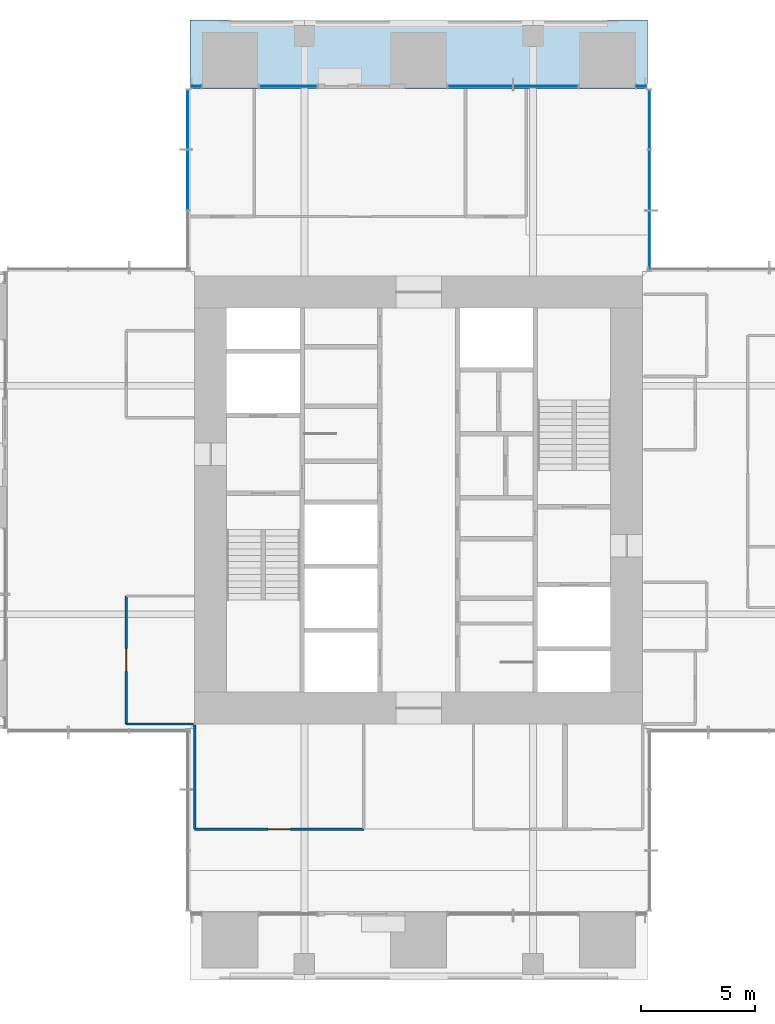
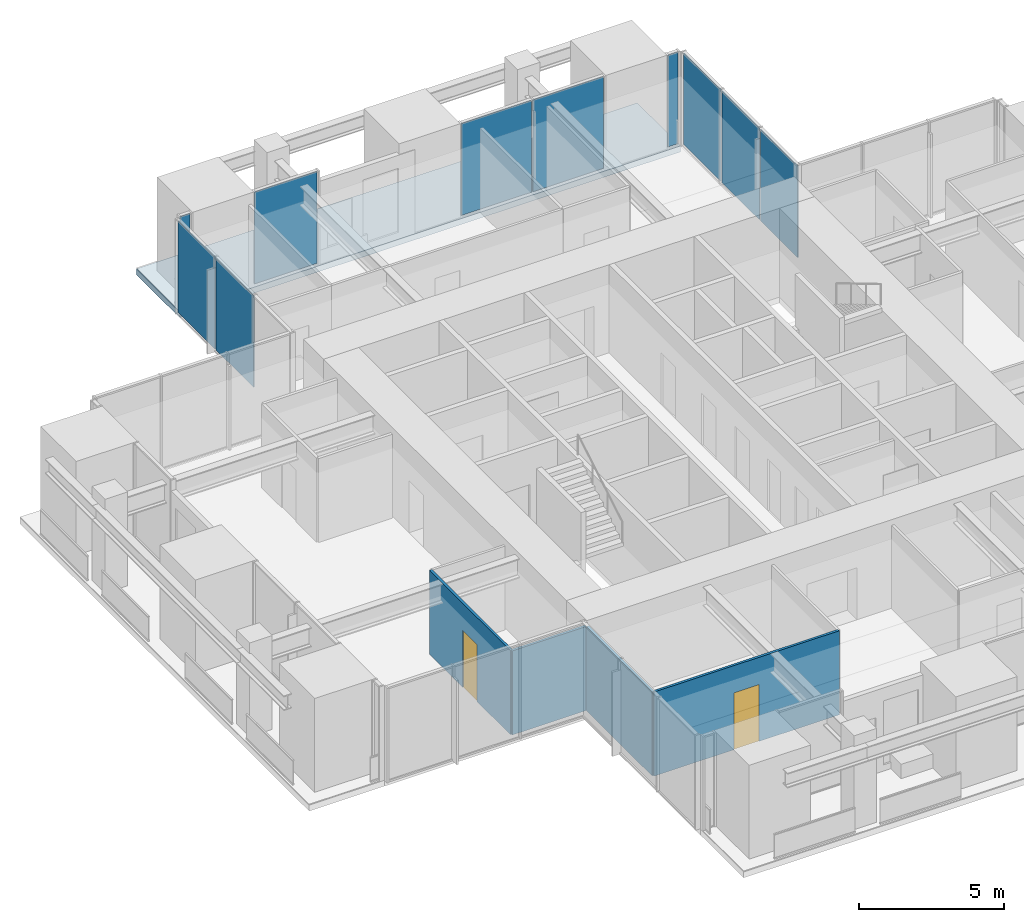
# One storey, part 11 of 17: 10 plates, 4 walls, 2 doors, 1 slab, 2 openings, 6 elements without a shape of their own.
"""IFC4 building model written with IfcOpenShell, lengths in metres."""

from ifc_helpers import new_model, si_unit, direction, frame, frame_2d, origin, origin_2d, place, context, subcontext, project, spatial, polyline, rectangle, outline, extrude, material, layer, layer_set, type_object, element, fill, aggregate, save


model = new_model("IFC4")

# Units and contexts
model_context = context("Model", 3, precision=1e-05, world=origin(), true_north=direction((0.0, 1.0)))
body_context = subcontext(model_context, "Body", "Model", "MODEL_VIEW")
ifc_project = project(units=[si_unit("LENGTHUNIT", "METRE"), si_unit("AREAUNIT", "SQUARE_METRE"), si_unit("VOLUMEUNIT", "CUBIC_METRE"), si_unit("PLANEANGLEUNIT", "RADIAN"), si_unit("MASSUNIT", "GRAM", prefix="KILO")], contexts=[model_context])

# Site, building, storey
site_placement = place(None, origin())
site = spatial("IfcSite", under=ifc_project, at=site_placement, CompositionType="ELEMENT")
building_placement = place(site_placement, origin())
building = spatial("IfcBuilding", under=site, at=building_placement, Name="Svetlomir Tower", CompositionType="ELEMENT")
storey_placement = place(building_placement, frame((0.0, 0.0, 230.5)))
storey = spatial("IfcBuildingStorey", under=building, at=storey_placement, Name="L55", CompositionType="ELEMENT", Elevation=230.5)

# Curtain wall, plates
ifc_material_1 = material(Name="Bronze anodised aluminium curtain wall", Category="aluminium")
curtain_wall_type = type_object("IfcCurtainWallType", Name="CURTAIN WALL CW1 TOWER OFFICE", PredefinedType="NOTDEFINED", material=ifc_material_1)
curtain_wall_1_placement = place(storey_placement, origin())
curtain_wall_1 = element("IfcCurtainWall", 1, at=curtain_wall_1_placement, inside=storey, type_object=curtain_wall_type, Name="Curtain wall CW1 L55", PredefinedType="NOTDEFINED")
ifc_material_2 = material(Name="Tinted double glazed unit", Category="glass")
ifc_layer_1 = layer(ifc_material_2, 0.031982421875)
ifc_layer_set_1 = layer_set([ifc_layer_1], Name="Tinted double glazed unit")
plate_type = type_object("IfcPlateType", Name="CW1 GLAZED PANEL 32", PredefinedType="CURTAIN_PANEL", material=ifc_layer_set_1)
plate_1_placement = place(storey_placement, frame((31.10009765625, 32.349609375, 0.06494140625), z_axis=(0.0, 0.0, 1.0), x_axis=(0.0, 1.0, 0.0)))
plate_1 = element("IfcPlate", 2, at=plate_1_placement, type_object=plate_type, Name="CW1 panel 1.1", PredefinedType="CURTAIN_PANEL", context=body_context, shape_type="SweptSolid", body=[
    extrude(rectangle(XDim=2.569091796875, YDim=0.031982421875, at=origin_2d()), origin(), (0.0, 0.0, 1.0), 3.8701171875),
])
plate_2_placement = place(storey_placement, frame((31.10009765625, 35.0, 0.06494140625), z_axis=(0.0, 0.0, 1.0), x_axis=(0.0, 1.0, 0.0)))
plate_2 = element("IfcPlate", 3, at=plate_2_placement, type_object=plate_type, Name="CW1 panel 2.1", PredefinedType="CURTAIN_PANEL", context=body_context, shape_type="SweptSolid", body=[
    extrude(rectangle(XDim=2.6015625, YDim=0.031982421875, at=origin_2d()), origin(), (0.0, 0.0, 1.0), 3.8701171875),
])
plate_3_placement = place(storey_placement, frame((31.10009765625, 37.650390625, 0.06494140625), z_axis=(0.0, 0.0, 1.0), x_axis=(0.0, 1.0, 0.0)))
plate_3 = element("IfcPlate", 4, at=plate_3_placement, type_object=plate_type, Name="CW1 panel 3.1", PredefinedType="CURTAIN_PANEL", context=body_context, shape_type="SweptSolid", body=[
    extrude(rectangle(XDim=2.569091796875, YDim=0.031982421875, at=origin_2d()), origin(), (0.0, 0.0, 1.0), 3.8701171875),
])
aggregate(curtain_wall_1, [plate_1, plate_2, plate_3])

# Curtain wall, plate
curtain_wall_2_placement = place(storey_placement, origin())
curtain_wall_2 = element("IfcCurtainWall", 5, at=curtain_wall_2_placement, inside=storey, type_object=curtain_wall_type, Name="Curtain wall CW1 L55", PredefinedType="NOTDEFINED")
plate_4_placement = place(storey_placement, frame((30.737548828125, 39.10009765625, 0.06494140625), z_axis=(0.0, 0.0, 1.0), x_axis=(-1.0, 0.0, 0.0)))
plate_4 = element("IfcPlate", 6, at=plate_4_placement, type_object=plate_type, Name="CW1 panel 1.1", PredefinedType="CURTAIN_PANEL", context=body_context, shape_type="SweptSolid", body=[
    extrude(rectangle(XDim=0.39501953125, YDim=0.031982421875, at=origin_2d()), origin(), (0.0, 0.0, 1.0), 3.8701171875),
])
aggregate(curtain_wall_2, [plate_4])

# Curtain wall, plates
curtain_wall_3_placement = place(storey_placement, origin())
curtain_wall_3 = element("IfcCurtainWall", 7, at=curtain_wall_3_placement, inside=storey, type_object=curtain_wall_type, Name="Curtain wall CW1 L55", PredefinedType="NOTDEFINED")
plate_5_placement = place(storey_placement, frame((26.558837890625, 39.10009765625, 0.06494140625), z_axis=(0.0, 0.0, 1.0), x_axis=(-1.0, 0.0, 0.0)))
plate_5 = element("IfcPlate", 8, at=plate_5_placement, type_object=plate_type, Name="CW1 panel 1.1", PredefinedType="CURTAIN_PANEL", context=body_context, shape_type="SweptSolid", body=[
    extrude(rectangle(XDim=2.802490234375, YDim=0.031982421875, at=origin_2d()), origin(), (0.0, 0.0, 1.0), 3.8701171875),
])
plate_6_placement = place(storey_placement, frame((23.691162109375, 39.10009765625, 0.06494140625), z_axis=(0.0, 0.0, 1.0), x_axis=(-1.0, 0.0, 0.0)))
plate_6 = element("IfcPlate", 9, at=plate_6_placement, type_object=plate_type, Name="CW1 panel 2.1", PredefinedType="CURTAIN_PANEL", context=body_context, shape_type="SweptSolid", body=[
    extrude(rectangle(XDim=2.802490234375, YDim=0.031982421875, at=origin_2d()), origin(), (0.0, 0.0, 1.0), 3.8701171875),
])
aggregate(curtain_wall_3, [plate_5, plate_6])

# Curtain wall, plate
curtain_wall_4_placement = place(storey_placement, origin())
curtain_wall_4 = element("IfcCurtainWall", 10, at=curtain_wall_4_placement, inside=storey, type_object=curtain_wall_type, Name="Curtain wall CW1 L55", PredefinedType="NOTDEFINED")
plate_7_placement = place(storey_placement, frame((15.28759765625, 39.10009765625, 0.06494140625), z_axis=(0.0, 0.0, 1.0), x_axis=(-1.0, 0.0, 0.0)))
plate_7 = element("IfcPlate", 11, at=plate_7_placement, type_object=plate_type, Name="CW1 panel 1.1", PredefinedType="CURTAIN_PANEL", context=body_context, shape_type="SweptSolid", body=[
    extrude(rectangle(XDim=2.4951171875, YDim=0.031982421875, at=origin_2d()), origin(), (0.0, 0.0, 1.0), 3.8701171875),
])
aggregate(curtain_wall_4, [plate_7])

curtain_wall_5_placement = place(storey_placement, origin())
curtain_wall_5 = element("IfcCurtainWall", 12, at=curtain_wall_5_placement, inside=storey, type_object=curtain_wall_type, Name="Curtain wall CW1 L55", PredefinedType="NOTDEFINED")
plate_8_placement = place(storey_placement, frame((11.262451171875, 39.10009765625, 0.06494140625), z_axis=(0.0, 0.0, 1.0), x_axis=(-1.0, 0.0, 0.0)))
plate_8 = element("IfcPlate", 13, at=plate_8_placement, type_object=plate_type, Name="CW1 panel 1.1", PredefinedType="CURTAIN_PANEL", context=body_context, shape_type="SweptSolid", body=[
    extrude(rectangle(XDim=0.39501953125, YDim=0.031982421875, at=origin_2d()), origin(), (0.0, 0.0, 1.0), 3.8701171875),
])
aggregate(curtain_wall_5, [plate_8])

# Curtain wall, plates
curtain_wall_6_placement = place(storey_placement, origin())
curtain_wall_6 = element("IfcCurtainWall", 14, at=curtain_wall_6_placement, inside=storey, type_object=curtain_wall_type, Name="Curtain wall CW1 L55", PredefinedType="NOTDEFINED")
plate_9_placement = place(storey_placement, frame((10.89990234375, 37.650390625, 0.06494140625), z_axis=(0.0, 0.0, 1.0), x_axis=(0.0, -1.0, 0.0)))
plate_9 = element("IfcPlate", 15, at=plate_9_placement, type_object=plate_type, Name="CW1 panel 1.1", PredefinedType="CURTAIN_PANEL", context=body_context, shape_type="SweptSolid", body=[
    extrude(rectangle(XDim=2.569091796875, YDim=0.031982421875, at=origin_2d()), origin(), (0.0, 0.0, 1.0), 3.8701171875),
])
plate_10_placement = place(storey_placement, frame((10.89990234375, 35.0, 0.06494140625), z_axis=(0.0, 0.0, 1.0), x_axis=(0.0, -1.0, 0.0)))
plate_10 = element("IfcPlate", 16, at=plate_10_placement, type_object=plate_type, Name="CW1 panel 2.1", PredefinedType="CURTAIN_PANEL", context=body_context, shape_type="SweptSolid", body=[
    extrude(rectangle(XDim=2.6015625, YDim=0.031982421875, at=origin_2d()), origin(), (0.0, 0.0, 1.0), 3.8701171875),
])
aggregate(curtain_wall_6, [plate_9, plate_10])

# Slab
ifc_material_3 = material(Name="Concrete C60/75", Category="concrete")
ifc_layer_2 = layer(ifc_material_3, 0.25)
ifc_layer_set_2 = layer_set([ifc_layer_2], Name="Concrete C60/75")
slab_type = type_object("IfcSlabType", Name="PLANTED LOGGIA SLAB 250", PredefinedType="FLOOR", material=ifc_layer_set_2)
slab_placement = place(storey_placement, frame((0.0, 0.0, -0.25)))
element("IfcSlab", 17, at=slab_placement, inside=storey, type_object=slab_type, Name="L55 N planted loggia", PredefinedType="FLOOR", context=body_context, shape_type="SweptSolid", body=[
    extrude(outline(polyline([(11.0, 39.0), (31.0, 39.0), (31.0, 42.0), (11.0, 42.0), (11.0, 39.0)])), origin(), (0.0, 0.0, 1.0), 0.25),
])

# Wall, opening, door
ifc_material_4 = material(Name="Framed laminated glass partition", Category="glass")
ifc_layer_3 = layer(ifc_material_4, 0.10009765625)
ifc_layer_set_3 = layer_set([ifc_layer_3], Name="Framed laminated glass partition")
wall_type = type_object("IfcWallType", Name="GLAZED PARTITION 100", PredefinedType="PARTITIONING", material=ifc_layer_set_3)
wall_1_placement = place(storey_placement, frame((8.199951171875, 11.199951171875, 0.0), z_axis=(0.0, 0.0, 1.0), x_axis=(0.0, 1.0, 0.0)))
wall_1 = element("IfcWall", 18, at=wall_1_placement, inside=storey, type_object=wall_type, Name="Glazed partition L55", PredefinedType="PARTITIONING", context=body_context, shape_type="SweptSolid", body=[
    extrude(rectangle(XDim=5.60009765625, YDim=0.10009765625, at=frame_2d((2.800048828125, 0.0))), origin(), (0.0, 0.0, 1.0), 3.550048828125),
])
opening_1_placement = place(wall_1_placement, frame((2.300048828125, 0.0, 0.0)))
opening_1 = element("IfcOpeningElement", 19, at=opening_1_placement, cuts=wall_1, Name="Opening DG", PredefinedType="OPENING", context=body_context, shape_type="SweptSolid", body=[
    extrude(rectangle(XDim=1.0, YDim=2.39990234375, at=frame_2d((0.5, 1.199951171875))), frame((0.0, 0.06005859375, 0.0), z_axis=(0.0, -1.0, 0.0), x_axis=(1.0, 0.0, 0.0)), (0.0, 0.0, 1.0), 0.1201171875),
])
ifc_material_5 = material(Name="Framed laminated glass door", Category="glass")
door_type = type_object("IfcDoorType", Name="GLAZED DOOR DG 1000x2400", OperationType="SINGLE_SWING_LEFT", PredefinedType="DOOR", material=ifc_material_5)
door_1_placement = place(opening_1_placement, origin())
door_1 = element("IfcDoor", 20, at=door_1_placement, inside=storey, type_object=door_type, Name="Meeting room, 6 seats 2 door L55", OperationType="SINGLE_SWING_LEFT", OverallHeight=2.39990234375, OverallWidth=1.0, PredefinedType="DOOR", context=body_context, shape_type="SweptSolid", body=[
    extrude(rectangle(XDim=1.0, YDim=2.39990234375, at=frame_2d((0.5, 1.199951171875))), frame((0.0, 0.02490234375, 0.0), z_axis=(0.0, -1.0, 0.0), x_axis=(1.0, 0.0, 0.0)), (0.0, 0.0, 1.0), 0.050048828125),
])
fill(opening_1, door_1)

# Walls
wall_2_placement = place(storey_placement, frame((8.199951171875, 11.199951171875, 0.0), z_axis=(0.0, 0.0, 1.0), x_axis=(1.0, 0.0, 0.0)))
element("IfcWall", 21, at=wall_2_placement, inside=storey, type_object=wall_type, Name="Glazed partition L55", PredefinedType="PARTITIONING", context=body_context, shape_type="SweptSolid", body=[
    extrude(rectangle(XDim=2.949951171875, YDim=0.10009765625, at=frame_2d((1.47509765625, 0.0))), origin(), (0.0, 0.0, 1.0), 3.550048828125),
])
wall_3_placement = place(storey_placement, frame((11.199951171875, 6.60009765625, 0.0), z_axis=(0.0, 0.0, 1.0), x_axis=(0.0, 1.0, 0.0)))
element("IfcWall", 22, at=wall_3_placement, inside=storey, type_object=wall_type, Name="Glazed partition L55", PredefinedType="PARTITIONING", context=body_context, shape_type="SweptSolid", body=[
    extrude(rectangle(XDim=4.5498046875, YDim=0.10009765625, at=frame_2d((2.27490234375, 0.0))), origin(), (0.0, 0.0, 1.0), 3.550048828125),
])

# Wall, opening, door
wall_4_placement = place(storey_placement, frame((11.199951171875, 6.60009765625, 0.0), z_axis=(0.0, 0.0, 1.0), x_axis=(1.0, 0.0, 0.0)))
wall_4 = element("IfcWall", 23, at=wall_4_placement, inside=storey, type_object=wall_type, Name="Glazed partition L55", PredefinedType="PARTITIONING", context=body_context, shape_type="SweptSolid", body=[
    extrude(rectangle(XDim=7.400146484375, YDim=0.10009765625, at=frame_2d((3.7001953125, 0.0))), origin(), (0.0, 0.0, 1.0), 3.550048828125),
])
opening_2_placement = place(wall_4_placement, frame((3.199951171875, 0.0, 0.0)))
opening_2 = element("IfcOpeningElement", 24, at=opening_2_placement, cuts=wall_4, Name="Opening DG", PredefinedType="OPENING", context=body_context, shape_type="SweptSolid", body=[
    extrude(rectangle(XDim=1.0, YDim=2.39990234375, at=frame_2d((0.5, 1.199951171875))), frame((0.0, 0.06005859375, 0.0), z_axis=(0.0, -1.0, 0.0), x_axis=(1.0, 0.0, 0.0)), (0.0, 0.0, 1.0), 0.1201171875),
])
door_2_placement = place(opening_2_placement, origin())
door_2 = element("IfcDoor", 25, at=door_2_placement, inside=storey, type_object=door_type, Name="Briefing room, 12 seats door L55", OperationType="SINGLE_SWING_LEFT", OverallHeight=2.39990234375, OverallWidth=1.0, PredefinedType="DOOR", context=body_context, shape_type="SweptSolid", body=[
    extrude(rectangle(XDim=1.0, YDim=2.39990234375, at=frame_2d((0.5, 1.199951171875))), frame((0.0, 0.02490234375, 0.0), z_axis=(0.0, -1.0, 0.0), x_axis=(1.0, 0.0, 0.0)), (0.0, 0.0, 1.0), 0.050048828125),
])
fill(opening_2, door_2)

save(model, "model.ifc")
